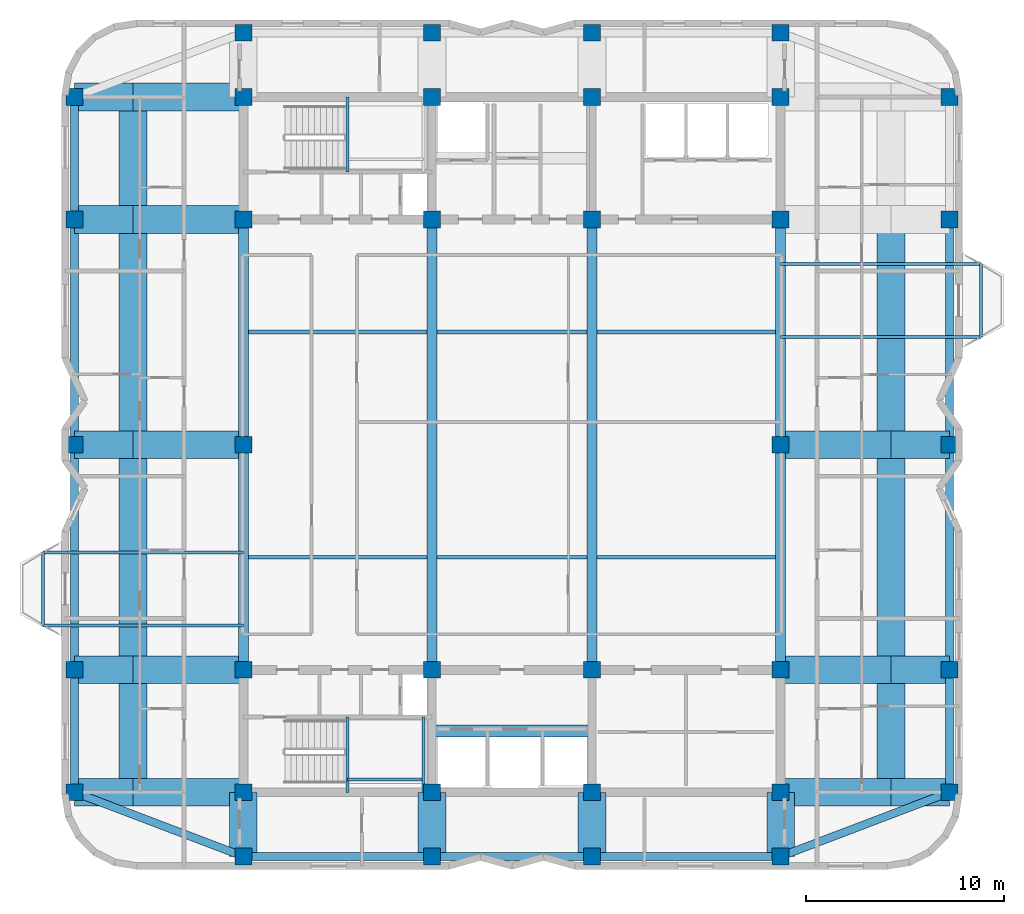
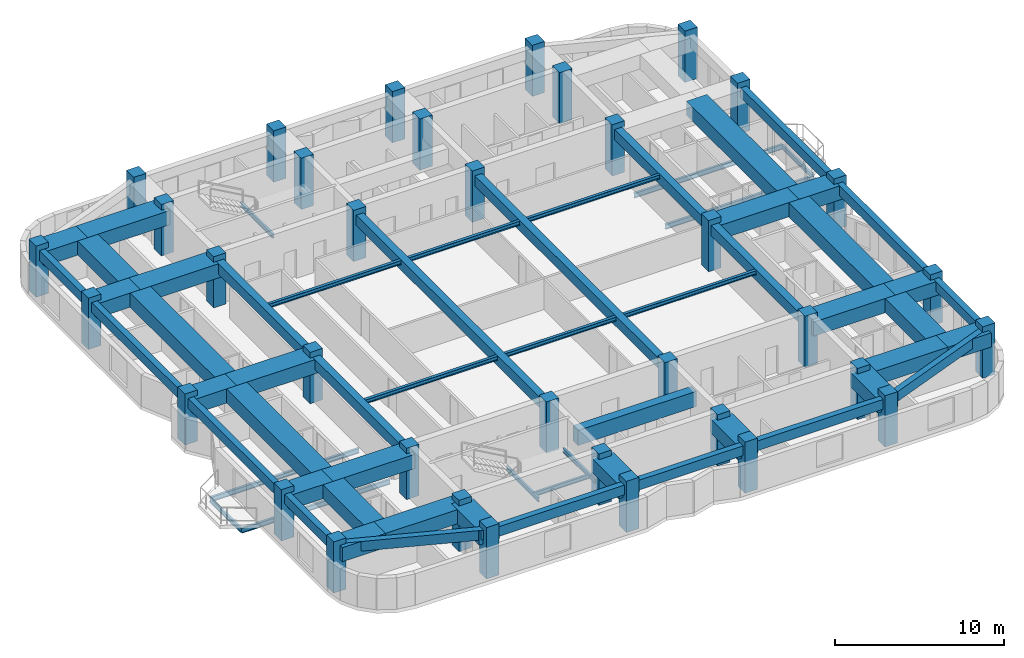
# One storey, part 1 of 9: 62 beams, 36 columns.
"""IFC4 building model written with IfcOpenShell, lengths in metres."""

from ifc_helpers import new_model, si_unit, direction, frame, origin, origin_2d, place, context, subcontext, project, spatial, rectangle, i_section, extrude, material, material_profile, profile_set, type_object, element, save


model = new_model("IFC4")

# Units and contexts
model_context = context("Model", 3, precision=1e-05, world=origin(), true_north=direction((0.0, 1.0)))
body_context = subcontext(model_context, "Body", "Model", "MODEL_VIEW")
ifc_project = project(units=[si_unit("LENGTHUNIT", "METRE"), si_unit("AREAUNIT", "SQUARE_METRE"), si_unit("VOLUMEUNIT", "CUBIC_METRE"), si_unit("PLANEANGLEUNIT", "RADIAN"), si_unit("MASSUNIT", "GRAM", prefix="KILO")], contexts=[model_context])

# Site, building, storey
site_placement = place(None, origin())
site = spatial("IfcSite", under=ifc_project, at=site_placement, CompositionType="ELEMENT")
building_placement = place(site_placement, origin())
building = spatial("IfcBuilding", under=site, at=building_placement, Name="Svetorya Sky Lyceum", CompositionType="ELEMENT")
storey_placement = place(building_placement, frame((0.0, 0.0, 222.10009765625)))
storey = spatial("IfcBuildingStorey", under=building, at=storey_placement, Name="L55", CompositionType="ELEMENT", Elevation=222.10009765625)

# Columns
ifc_material_1 = material(Name="Concrete C50/60", Category="concrete")
ifc_material_profile_1 = material_profile(ifc_material_1, rectangle(XDim=0.85009765625, YDim=0.85009765625, at=origin_2d()), Name="RC COL 850x850")
ifc_profile_set_1 = profile_set([ifc_material_profile_1], Name="Concrete C50/60")
column_type = type_object("IfcColumnType", Name="COL-RC-850", PredefinedType="COLUMN", material=ifc_profile_set_1)
for number, where, z_axis, x_axis, name in (
    (1, (25.60009765625, 10.60009765625, 0.0), (0.0, 0.0, 1.0), (1.0, 0.0, 0.0), "L55 Core Column CS-11"),
    (2, (25.60009765625, 16.800048828125, 0.0), (0.0, 0.0, 1.0), (1.0, 0.0, 0.0), "L55 Core Column CS-12"),
    (3, (35.14990234375, 10.60009765625, 0.0), (0.0, 0.0, 1.0), (1.0, 0.0, 0.0), "L55 Core Column CS-21"),
    (4, (35.14990234375, 16.800048828125, 0.0), (0.0, 0.0, 1.0), (1.0, 0.0, 0.0), "L55 Core Column CS-22"),
    (5, (43.25, 10.60009765625, 0.0), (0.0, 0.0, 1.0), (1.0, 0.0, 0.0), "L55 Core Column CS-31"),
    (6, (43.25, 16.800048828125, 0.0), (0.0, 0.0, 1.0), (1.0, 0.0, 0.0), "L55 Core Column CS-32"),
    (7, (52.800048828125, 10.60009765625, 0.0), (0.0, 0.0, 1.0), (1.0, 0.0, 0.0), "L55 Core Column CS-41"),
    (8, (52.800048828125, 16.800048828125, 0.0), (0.0, 0.0, 1.0), (1.0, 0.0, 0.0), "L55 Core Column CS-42"),
    (9, (25.60009765625, 39.60009765625, 0.0), (0.0, 0.0, 1.0), (1.0, 0.0, 0.0), "L55 Core Column CN-11"),
    (10, (25.60009765625, 45.800048828125, 0.0), (0.0, 0.0, 1.0), (1.0, 0.0, 0.0), "L55 Core Column CN-12"),
    (11, (35.14990234375, 39.60009765625, 0.0), (0.0, 0.0, 1.0), (1.0, 0.0, 0.0), "L55 Core Column CN-21"),
    (12, (35.14990234375, 45.800048828125, 0.0), (0.0, 0.0, 1.0), (1.0, 0.0, 0.0), "L55 Core Column CN-22"),
    (13, (43.25, 39.60009765625, 0.0), (0.0, 0.0, 1.0), (1.0, 0.0, 0.0), "L55 Core Column CN-31"),
    (14, (43.25, 45.800048828125, 0.0), (0.0, 0.0, 1.0), (1.0, 0.0, 0.0), "L55 Core Column CN-32"),
    (15, (52.800048828125, 39.60009765625, 0.0), (0.0, 0.0, 1.0), (1.0, 0.0, 0.0), "L55 Core Column CN-41"),
    (16, (52.800048828125, 45.800048828125, 0.0), (0.0, 0.0, 1.0), (1.0, 0.0, 0.0), "L55 Core Column CN-42"),
    (17, (25.60009765625, 28.199951171875, 0.0), (0.0, 0.0, 1.0), (1.0, 0.0, 0.0), "L55 Core Column CM-W"),
    (18, (52.800048828125, 28.199951171875, 0.0), (0.0, 0.0, 1.0), (1.0, 0.0, 0.0), "L55 Core Column CM-E"),
    (19, (25.60009765625, 7.35009765625, 0.0), (0.0, 0.0, 1.0), (1.0, 0.0, 0.0), "L55 Perimeter Column S1"),
    (20, (25.60009765625, 49.050048828125, 0.0), (0.0, 0.0, 1.0), (1.0, 0.0, 0.0), "L55 Perimeter Column N1"),
    (21, (35.14990234375, 7.35009765625, 0.0), (0.0, 0.0, 1.0), (1.0, 0.0, 0.0), "L55 Perimeter Column S2"),
    (22, (35.14990234375, 49.050048828125, 0.0), (0.0, 0.0, 1.0), (1.0, 0.0, 0.0), "L55 Perimeter Column N2"),
    (23, (43.25, 7.35009765625, 0.0), (0.0, 0.0, 1.0), (1.0, 0.0, 0.0), "L55 Perimeter Column S3"),
    (24, (43.25, 49.050048828125, 0.0), (0.0, 0.0, 1.0), (1.0, 0.0, 0.0), "L55 Perimeter Column N3"),
    (25, (52.800048828125, 7.35009765625, 0.0), (0.0, 0.0, 1.0), (1.0, 0.0, 0.0), "L55 Perimeter Column S4"),
    (26, (52.800048828125, 49.050048828125, 0.0), (0.0, 0.0, 1.0), (1.0, 0.0, 0.0), "L55 Perimeter Column N4"),
    (27, (17.050048828125, 10.60009765625, 0.0), (0.0, 0.0, 1.0), (1.0, 0.0, 0.0), "L55 Perimeter Column W1"),
    (28, (61.35009765625, 10.60009765625, 0.0), (0.0, 0.0, 1.0), (1.0, 0.0, 0.0), "L55 Perimeter Column E1"),
    (29, (17.050048828125, 16.800048828125, 0.0), (0.0, 0.0, 1.0), (1.0, 0.0, 0.0), "L55 Perimeter Column W2"),
    (30, (61.35009765625, 16.800048828125, 0.0), (0.0, 0.0, 1.0), (1.0, 0.0, 0.0), "L55 Perimeter Column E2"),
    (31, (17.050048828125, 28.199951171875, 0.0), (0.0, 0.0, 1.0), (1.0, 0.0, 0.0), "L55 Perimeter Column W3"),
    (32, (61.35009765625, 28.199951171875, 0.0), (0.0, 0.0, 1.0), (1.0, 0.0, 0.0), "L55 Perimeter Column E3"),
    (33, (17.050048828125, 39.60009765625, 0.0), (0.0, 0.0, 1.0), (1.0, 0.0, 0.0), "L55 Perimeter Column W4"),
    (34, (61.35009765625, 39.60009765625, 0.0), (0.0, 0.0, 1.0), (1.0, 0.0, 0.0), "L55 Perimeter Column E4"),
    (35, (17.050048828125, 45.800048828125, 0.0), (0.0, 0.0, 1.0), (1.0, 0.0, 0.0), "L55 Perimeter Column W5"),
    (36, (61.35009765625, 45.800048828125, 0.0), (0.0, 0.0, 1.0), (1.0, 0.0, 0.0), "L55 Perimeter Column E5"),
):
    element("IfcColumn", number, at=place(storey_placement, frame(where, z_axis=z_axis, x_axis=x_axis)), inside=storey, type_object=column_type, Name=name, PredefinedType="COLUMN", context=body_context, shape_type="SweptSolid", body=[
        extrude(rectangle(XDim=0.85009765625, YDim=0.85009765625, at=origin_2d()), origin(), (0.0, 0.0, 1.0), 3.699951171875),
    ])

# Beams
ifc_material_2 = material(Name="Concrete C60/75", Category="concrete")
ifc_material_profile_2 = material_profile(ifc_material_2, rectangle(XDim=0.60009765625, YDim=1.10009765625, at=origin_2d()), Name="RC COUPLING 600x1100")
ifc_profile_set_2 = profile_set([ifc_material_profile_2], Name="Concrete C60/75")
beam_type_1 = type_object("IfcBeamType", Name="BM-CPL-1100", PredefinedType="LINTEL", material=ifc_profile_set_2)
beam_1_placement = place(storey_placement, frame((35.14990234375, 13.699951171875, 2.75), z_axis=(1.0, 0.0, 0.0), x_axis=(0.0, 1.0, 0.0)))
element("IfcBeam", 37, at=beam_1_placement, inside=storey, type_object=beam_type_1, Name="L55 SC Core Coupling Beam", PredefinedType="LINTEL", context=body_context, shape_type="SweptSolid", body=[
    extrude(rectangle(XDim=0.60009765625, YDim=1.10009765625, at=origin_2d()), origin(), (0.0, 0.0, 1.0), 8.10009765625),
])
ifc_material_profile_3 = material_profile(ifc_material_1, rectangle(XDim=0.5, YDim=0.75, at=origin_2d()), Name="RC BEAM 500x750")
ifc_profile_set_3 = profile_set([ifc_material_profile_3], Name="Concrete C50/60")
beam_type_2 = type_object("IfcBeamType", Name="BM-RC-750", PredefinedType="BEAM", material=ifc_profile_set_3)
beam_2_placement = place(storey_placement, frame((25.60009765625, 16.800048828125, 2.9248046875), z_axis=(0.0, 1.0, 0.0), x_axis=(-1.0, 0.0, 0.0)))
element("IfcBeam", 38, at=beam_2_placement, inside=storey, type_object=beam_type_2, Name="L55 Central Bay Primary Girder CG-1A", PredefinedType="BEAM", context=body_context, shape_type="SweptSolid", body=[
    extrude(rectangle(XDim=0.5, YDim=0.75, at=origin_2d()), origin(), (0.0, 0.0, 1.0), 11.39990234375),
])
beam_3_placement = place(storey_placement, frame((25.60009765625, 28.199951171875, 2.9248046875), z_axis=(0.0, 1.0, 0.0), x_axis=(-1.0, 0.0, 0.0)))
element("IfcBeam", 39, at=beam_3_placement, inside=storey, type_object=beam_type_2, Name="L55 Central Bay Primary Girder CG-1B", PredefinedType="BEAM", context=body_context, shape_type="SweptSolid", body=[
    extrude(rectangle(XDim=0.5, YDim=0.75, at=origin_2d()), origin(), (0.0, 0.0, 1.0), 11.400146484375),
])
for number, where, z_axis, x_axis, name in (
    (40, (35.14990234375, 16.800048828125, 2.9248046875), (0.0, 1.0, 0.0), (-1.0, 0.0, 0.0), "L55 Central Bay Primary Girder CG-2"),
    (41, (43.25, 16.800048828125, 2.9248046875), (0.0, 1.0, 0.0), (-1.0, 0.0, 0.0), "L55 Central Bay Primary Girder CG-3"),
):
    element("IfcBeam", number, at=place(storey_placement, frame(where, z_axis=z_axis, x_axis=x_axis)), inside=storey, type_object=beam_type_2, Name=name, PredefinedType="BEAM", context=body_context, shape_type="SweptSolid", body=[
        extrude(rectangle(XDim=0.5, YDim=0.75, at=origin_2d()), origin(), (0.0, 0.0, 1.0), 22.800048828125),
    ])
beam_4_placement = place(storey_placement, frame((52.800048828125, 16.800048828125, 2.9248046875), z_axis=(0.0, 1.0, 0.0), x_axis=(-1.0, 0.0, 0.0)))
element("IfcBeam", 42, at=beam_4_placement, inside=storey, type_object=beam_type_2, Name="L55 Central Bay Primary Girder CG-4A", PredefinedType="BEAM", context=body_context, shape_type="SweptSolid", body=[
    extrude(rectangle(XDim=0.5, YDim=0.75, at=origin_2d()), origin(), (0.0, 0.0, 1.0), 11.39990234375),
])
beam_5_placement = place(storey_placement, frame((52.800048828125, 28.199951171875, 2.9248046875), z_axis=(0.0, 1.0, 0.0), x_axis=(-1.0, 0.0, 0.0)))
element("IfcBeam", 43, at=beam_5_placement, inside=storey, type_object=beam_type_2, Name="L55 Central Bay Primary Girder CG-4B", PredefinedType="BEAM", context=body_context, shape_type="SweptSolid", body=[
    extrude(rectangle(XDim=0.5, YDim=0.75, at=origin_2d()), origin(), (0.0, 0.0, 1.0), 11.400146484375),
])
ifc_material_profile_4 = material_profile(ifc_material_1, rectangle(XDim=0.39990234375, YDim=0.699951171875, at=origin_2d()), Name="RC SPANDREL 400x700")
ifc_profile_set_4 = profile_set([ifc_material_profile_4], Name="Concrete C50/60")
beam_type_3 = type_object("IfcBeamType", Name="BM-SPN-700", PredefinedType="SPANDREL", material=ifc_profile_set_4)
beam_6_placement = place(storey_placement, frame((25.60009765625, 7.35009765625, 2.949951171875), z_axis=(1.0, 0.0, 0.0), x_axis=(0.0, 1.0, 0.0)))
element("IfcBeam", 44, at=beam_6_placement, inside=storey, type_object=beam_type_3, Name="L55 South Spandrel 1", PredefinedType="SPANDREL", context=body_context, shape_type="SweptSolid", body=[
    extrude(rectangle(XDim=0.39990234375, YDim=0.699951171875, at=origin_2d()), origin(), (0.0, 0.0, 1.0), 9.5498046875),
])
beam_7_placement = place(storey_placement, frame((35.14990234375, 7.35009765625, 2.949951171875), z_axis=(1.0, 0.0, 0.0), x_axis=(0.0, 1.0, 0.0)))
element("IfcBeam", 45, at=beam_7_placement, inside=storey, type_object=beam_type_3, Name="L55 South Spandrel 2", PredefinedType="SPANDREL", context=body_context, shape_type="SweptSolid", body=[
    extrude(rectangle(XDim=0.39990234375, YDim=0.699951171875, at=origin_2d()), origin(), (0.0, 0.0, 1.0), 8.10009765625),
])
beam_8_placement = place(storey_placement, frame((43.25, 7.35009765625, 2.949951171875), z_axis=(1.0, 0.0, 0.0), x_axis=(0.0, 1.0, 0.0)))
element("IfcBeam", 46, at=beam_8_placement, inside=storey, type_object=beam_type_3, Name="L55 South Spandrel 3", PredefinedType="SPANDREL", context=body_context, shape_type="SweptSolid", body=[
    extrude(rectangle(XDim=0.39990234375, YDim=0.699951171875, at=origin_2d()), origin(), (0.0, 0.0, 1.0), 9.550048828125),
])
for number, where, z_axis, x_axis, name in (
    (47, (25.60009765625, 7.35009765625, 2.949951171875), (-0.934747947367, 0.355311518099, 0.0), (-0.355311518099, -0.934747947367, 0.0), "L55 Corner Spandrel 1"),
    (48, (52.800048828125, 7.35009765625, 2.949951171875), (0.934747947367, 0.355311518099, 0.0), (-0.355311518099, 0.934747947367, 0.0), "L55 Corner Spandrel 2"),
):
    element("IfcBeam", number, at=place(storey_placement, frame(where, z_axis=z_axis, x_axis=x_axis)), inside=storey, type_object=beam_type_3, Name=name, PredefinedType="SPANDREL", context=body_context, shape_type="SweptSolid", body=[
        extrude(rectangle(XDim=0.39990234375, YDim=0.699951171875, at=origin_2d()), origin(), (0.0, 0.0, 1.0), 9.14697265625),
    ])
beam_9_placement = place(storey_placement, frame((17.050048828125, 10.60009765625, 2.949951171875), z_axis=(0.0, 1.0, 0.0), x_axis=(-1.0, 0.0, 0.0)))
element("IfcBeam", 49, at=beam_9_placement, inside=storey, type_object=beam_type_3, Name="L55 West Spandrel 1", PredefinedType="SPANDREL", context=body_context, shape_type="SweptSolid", body=[
    extrude(rectangle(XDim=0.39990234375, YDim=0.699951171875, at=origin_2d()), origin(), (0.0, 0.0, 1.0), 6.199951171875),
])
beam_10_placement = place(storey_placement, frame((17.050048828125, 16.800048828125, 2.949951171875), z_axis=(0.0, 1.0, 0.0), x_axis=(-1.0, 0.0, 0.0)))
element("IfcBeam", 50, at=beam_10_placement, inside=storey, type_object=beam_type_3, Name="L55 West Spandrel 2", PredefinedType="SPANDREL", context=body_context, shape_type="SweptSolid", body=[
    extrude(rectangle(XDim=0.39990234375, YDim=0.699951171875, at=origin_2d()), origin(), (0.0, 0.0, 1.0), 11.39990234375),
])
beam_11_placement = place(storey_placement, frame((17.050048828125, 28.199951171875, 2.949951171875), z_axis=(0.0, 1.0, 0.0), x_axis=(-1.0, 0.0, 0.0)))
element("IfcBeam", 51, at=beam_11_placement, inside=storey, type_object=beam_type_3, Name="L55 West Spandrel 3", PredefinedType="SPANDREL", context=body_context, shape_type="SweptSolid", body=[
    extrude(rectangle(XDim=0.39990234375, YDim=0.699951171875, at=origin_2d()), origin(), (0.0, 0.0, 1.0), 11.400146484375),
])
for number, where, z_axis, x_axis, name in (
    (52, (17.050048828125, 39.60009765625, 2.949951171875), (0.0, 1.0, 0.0), (-1.0, 0.0, 0.0), "L55 West Spandrel 4"),
    (53, (61.35009765625, 10.60009765625, 2.949951171875), (0.0, 1.0, 0.0), (-1.0, 0.0, 0.0), "L55 East Spandrel 1"),
):
    element("IfcBeam", number, at=place(storey_placement, frame(where, z_axis=z_axis, x_axis=x_axis)), inside=storey, type_object=beam_type_3, Name=name, PredefinedType="SPANDREL", context=body_context, shape_type="SweptSolid", body=[
        extrude(rectangle(XDim=0.39990234375, YDim=0.699951171875, at=origin_2d()), origin(), (0.0, 0.0, 1.0), 6.199951171875),
    ])
beam_12_placement = place(storey_placement, frame((61.35009765625, 16.800048828125, 2.949951171875), z_axis=(0.0, 1.0, 0.0), x_axis=(-1.0, 0.0, 0.0)))
element("IfcBeam", 54, at=beam_12_placement, inside=storey, type_object=beam_type_3, Name="L55 East Spandrel 2", PredefinedType="SPANDREL", context=body_context, shape_type="SweptSolid", body=[
    extrude(rectangle(XDim=0.39990234375, YDim=0.699951171875, at=origin_2d()), origin(), (0.0, 0.0, 1.0), 11.39990234375),
])
beam_13_placement = place(storey_placement, frame((61.35009765625, 28.199951171875, 2.949951171875), z_axis=(0.0, 1.0, 0.0), x_axis=(-1.0, 0.0, 0.0)))
element("IfcBeam", 55, at=beam_13_placement, inside=storey, type_object=beam_type_3, Name="L55 East Spandrel 3", PredefinedType="SPANDREL", context=body_context, shape_type="SweptSolid", body=[
    extrude(rectangle(XDim=0.39990234375, YDim=0.699951171875, at=origin_2d()), origin(), (0.0, 0.0, 1.0), 11.400146484375),
])
ifc_material_3 = material(Name="Steel S355", Category="steel")
ifc_material_profile_5 = material_profile(ifc_material_3, i_section(OverallWidth=0.14990234375, OverallDepth=0.299072265625, WebThickness=0.006591796875, FlangeThickness=0.010498046875, at=origin_2d()), Name="GOST 30B2")
ifc_profile_set_5 = profile_set([ifc_material_profile_5], Name="Steel S355")
beam_type_4 = type_object("IfcBeamType", Name="BM-STL-30B2", PredefinedType="JOIST", material=ifc_profile_set_5)
beam_14_placement = place(storey_placement, frame((15.449951171875, 19.050048828125, -0.4345703125), z_axis=(0.0, 1.0, 0.0), x_axis=(-1.0, 0.0, 0.0)))
element("IfcBeam", 56, at=beam_14_placement, inside=storey, type_object=beam_type_4, Name="L55 Balcony Edge Tie BAL-W1", PredefinedType="JOIST", context=body_context, shape_type="SweptSolid", body=[
    extrude(i_section(OverallWidth=0.14990234375, OverallDepth=0.299072265625, WebThickness=0.006591796875, FlangeThickness=0.010498046875, at=origin_2d()), origin(), (0.0, 0.0, 1.0), 3.699951171875),
])
beam_15_placement = place(storey_placement, frame((62.949951171875, 33.64990234375, -0.4345703125), z_axis=(0.0, 1.0, 0.0), x_axis=(-1.0, 0.0, 0.0)))
element("IfcBeam", 57, at=beam_15_placement, inside=storey, type_object=beam_type_4, Name="L55 Balcony Edge Tie BAL-E1", PredefinedType="JOIST", context=body_context, shape_type="SweptSolid", body=[
    extrude(i_section(OverallWidth=0.14990234375, OverallDepth=0.299072265625, WebThickness=0.006591796875, FlangeThickness=0.010498046875, at=origin_2d()), origin(), (0.0, 0.0, 1.0), 3.7001953125),
])
for number, where, z_axis, x_axis, name in (
    (58, (30.8798828125, 10.60009765625, 1.50048828125), (0.0, 1.0, 0.0), (-1.0, 0.0, 0.0), "L55 Stair ST-S Half-Landing Support Beam 63.1"),
    (59, (34.719970703125, 10.60009765625, 1.50048828125), (0.0, 1.0, 0.0), (-1.0, 0.0, 0.0), "L55 Stair ST-S Half-Landing Support Beam 63.2"),
):
    element("IfcBeam", number, at=place(storey_placement, frame(where, z_axis=z_axis, x_axis=x_axis)), inside=storey, type_object=beam_type_4, Name=name, PredefinedType="JOIST", context=body_context, shape_type="SweptSolid", body=[
        extrude(i_section(OverallWidth=0.14990234375, OverallDepth=0.299072265625, WebThickness=0.006591796875, FlangeThickness=0.010498046875, at=origin_2d()), origin(), (0.0, 0.0, 1.0), 3.7998046875),
    ])
beam_16_placement = place(storey_placement, frame((30.8798828125, 11.25, 1.50048828125), z_axis=(1.0, 0.0, 0.0), x_axis=(0.0, 1.0, 0.0)))
element("IfcBeam", 60, at=beam_16_placement, inside=storey, type_object=beam_type_4, Name="L55 Stair ST-S Half-Landing Cross Tie 63", PredefinedType="JOIST", context=body_context, shape_type="SweptSolid", body=[
    extrude(i_section(OverallWidth=0.14990234375, OverallDepth=0.299072265625, WebThickness=0.006591796875, FlangeThickness=0.010498046875, at=origin_2d()), origin(), (0.0, 0.0, 1.0), 3.840087890625),
])
beam_17_placement = place(storey_placement, frame((30.8798828125, 42.0, 1.50048828125), z_axis=(0.0, 1.0, 0.0), x_axis=(-1.0, 0.0, 0.0)))
element("IfcBeam", 61, at=beam_17_placement, inside=storey, type_object=beam_type_4, Name="L55 Stair ST-N Half-Landing Support Beam 63.1", PredefinedType="JOIST", context=body_context, shape_type="SweptSolid", body=[
    extrude(i_section(OverallWidth=0.14990234375, OverallDepth=0.299072265625, WebThickness=0.006591796875, FlangeThickness=0.010498046875, at=origin_2d()), origin(), (0.0, 0.0, 1.0), 3.800048828125),
])
ifc_material_profile_6 = material_profile(ifc_material_3, i_section(OverallWidth=0.199951171875, OverallDepth=0.298095703125, WebThickness=0.008544921875, FlangeThickness=0.012939453125, at=origin_2d()), Name="GOST 30Sh2")
ifc_profile_set_6 = profile_set([ifc_material_profile_6], Name="Steel S355")
beam_type_5 = type_object("IfcBeamType", Name="BM-STL-30SH2", PredefinedType="BEAM", material=ifc_profile_set_6)
beam_18_placement = place(storey_placement, frame((25.85009765625, 22.5, 3.15087890625), z_axis=(1.0, 0.0, 0.0), x_axis=(0.0, 1.0, 0.0)))
element("IfcBeam", 62, at=beam_18_placement, inside=storey, type_object=beam_type_5, Name="L55 Central Floor Joist CJ-1.1", PredefinedType="BEAM", context=body_context, shape_type="SweptSolid", body=[
    extrude(i_section(OverallWidth=0.199951171875, OverallDepth=0.298095703125, WebThickness=0.008544921875, FlangeThickness=0.012939453125, at=origin_2d()), origin(), (0.0, 0.0, 1.0), 9.0498046875),
])
beam_19_placement = place(storey_placement, frame((35.39990234375, 22.5, 3.15087890625), z_axis=(1.0, 0.0, 0.0), x_axis=(0.0, 1.0, 0.0)))
element("IfcBeam", 63, at=beam_19_placement, inside=storey, type_object=beam_type_5, Name="L55 Central Floor Joist CJ-1.2", PredefinedType="BEAM", context=body_context, shape_type="SweptSolid", body=[
    extrude(i_section(OverallWidth=0.199951171875, OverallDepth=0.298095703125, WebThickness=0.008544921875, FlangeThickness=0.012939453125, at=origin_2d()), origin(), (0.0, 0.0, 1.0), 7.60009765625),
])
beam_20_placement = place(storey_placement, frame((43.5, 22.5, 3.15087890625), z_axis=(1.0, 0.0, 0.0), x_axis=(0.0, 1.0, 0.0)))
element("IfcBeam", 64, at=beam_20_placement, inside=storey, type_object=beam_type_5, Name="L55 Central Floor Joist CJ-1.3", PredefinedType="BEAM", context=body_context, shape_type="SweptSolid", body=[
    extrude(i_section(OverallWidth=0.199951171875, OverallDepth=0.298095703125, WebThickness=0.008544921875, FlangeThickness=0.012939453125, at=origin_2d()), origin(), (0.0, 0.0, 1.0), 9.050048828125),
])
beam_21_placement = place(storey_placement, frame((25.85009765625, 33.89990234375, 3.15087890625), z_axis=(1.0, 0.0, 0.0), x_axis=(0.0, 1.0, 0.0)))
element("IfcBeam", 65, at=beam_21_placement, inside=storey, type_object=beam_type_5, Name="L55 Central Floor Joist CJ-3.1", PredefinedType="BEAM", context=body_context, shape_type="SweptSolid", body=[
    extrude(i_section(OverallWidth=0.199951171875, OverallDepth=0.298095703125, WebThickness=0.008544921875, FlangeThickness=0.012939453125, at=origin_2d()), origin(), (0.0, 0.0, 1.0), 9.0498046875),
])
beam_22_placement = place(storey_placement, frame((35.39990234375, 33.89990234375, 3.15087890625), z_axis=(1.0, 0.0, 0.0), x_axis=(0.0, 1.0, 0.0)))
element("IfcBeam", 66, at=beam_22_placement, inside=storey, type_object=beam_type_5, Name="L55 Central Floor Joist CJ-3.2", PredefinedType="BEAM", context=body_context, shape_type="SweptSolid", body=[
    extrude(i_section(OverallWidth=0.199951171875, OverallDepth=0.298095703125, WebThickness=0.008544921875, FlangeThickness=0.012939453125, at=origin_2d()), origin(), (0.0, 0.0, 1.0), 7.60009765625),
])
beam_23_placement = place(storey_placement, frame((43.5, 33.89990234375, 3.15087890625), z_axis=(1.0, 0.0, 0.0), x_axis=(0.0, 1.0, 0.0)))
element("IfcBeam", 67, at=beam_23_placement, inside=storey, type_object=beam_type_5, Name="L55 Central Floor Joist CJ-3.3", PredefinedType="BEAM", context=body_context, shape_type="SweptSolid", body=[
    extrude(i_section(OverallWidth=0.199951171875, OverallDepth=0.298095703125, WebThickness=0.008544921875, FlangeThickness=0.012939453125, at=origin_2d()), origin(), (0.0, 0.0, 1.0), 9.050048828125),
])
ifc_material_profile_7 = material_profile(ifc_material_3, i_section(OverallWidth=0.155029296875, OverallDepth=0.34912109375, WebThickness=0.007080078125, FlangeThickness=0.011474609375, at=origin_2d()), Name="GOST 35B2")
ifc_profile_set_7 = profile_set([ifc_material_profile_7], Name="Steel S355")
beam_type_6 = type_object("IfcBeamType", Name="BM-STL-35B2", PredefinedType="JOIST", material=ifc_profile_set_7)
for number, where, z_axis, x_axis, name in (
    (68, (25.60009765625, 19.050048828125, -0.4345703125), (-1.0, 0.0, 0.0), (0.0, -1.0, 0.0), "L55 Balcony Cantilever Beam BAL-W1-1"),
    (69, (25.60009765625, 22.75, -0.4345703125), (-1.0, 0.0, 0.0), (0.0, -1.0, 0.0), "L55 Balcony Cantilever Beam BAL-W1-2"),
):
    element("IfcBeam", number, at=place(storey_placement, frame(where, z_axis=z_axis, x_axis=x_axis)), inside=storey, type_object=beam_type_6, Name=name, PredefinedType="JOIST", context=body_context, shape_type="SweptSolid", body=[
        extrude(i_section(OverallWidth=0.155029296875, OverallDepth=0.34912109375, WebThickness=0.007080078125, FlangeThickness=0.011474609375, at=origin_2d()), origin(), (0.0, 0.0, 1.0), 10.150146484375),
    ])
for number, where, z_axis, x_axis, name in (
    (70, (52.800048828125, 33.64990234375, -0.4345703125), (1.0, 0.0, 0.0), (0.0, 1.0, 0.0), "L55 Balcony Cantilever Beam BAL-E1-1"),
    (71, (52.800048828125, 37.35009765625, -0.4345703125), (1.0, 0.0, 0.0), (0.0, 1.0, 0.0), "L55 Balcony Cantilever Beam BAL-E1-2"),
):
    element("IfcBeam", number, at=place(storey_placement, frame(where, z_axis=z_axis, x_axis=x_axis)), inside=storey, type_object=beam_type_6, Name=name, PredefinedType="JOIST", context=body_context, shape_type="SweptSolid", body=[
        extrude(i_section(OverallWidth=0.155029296875, OverallDepth=0.34912109375, WebThickness=0.007080078125, FlangeThickness=0.011474609375, at=origin_2d()), origin(), (0.0, 0.0, 1.0), 10.14990234375),
    ])
ifc_material_profile_8 = material_profile(ifc_material_2, rectangle(XDim=1.39990234375, YDim=1.02001953125, at=origin_2d()), Name="RC TRANSFER 1400x1020")
ifc_profile_set_8 = profile_set([ifc_material_profile_8], Name="Concrete C60/75")
beam_type_7 = type_object("IfcBeamType", Name="BM-TRF-1020", PredefinedType="BEAM", material=ifc_profile_set_8)
beam_24_placement = place(storey_placement, frame((17.050048828125, 10.60009765625, 2.789794921875), z_axis=(1.0, 0.0, 0.0), x_axis=(0.0, 1.0, 0.0)))
element("IfcBeam", 72, at=beam_24_placement, inside=storey, type_object=beam_type_7, Name="L55 West Outer Transfer Girder 1", PredefinedType="BEAM", context=body_context, shape_type="SweptSolid", body=[
    extrude(rectangle(XDim=1.39990234375, YDim=1.02001953125, at=origin_2d()), origin(), (0.0, 0.0, 1.0), 2.9599609375),
])
beam_25_placement = place(storey_placement, frame((20.010009765625, 10.60009765625, 2.789794921875), z_axis=(1.0, 0.0, 0.0), x_axis=(0.0, 1.0, 0.0)))
element("IfcBeam", 73, at=beam_25_placement, inside=storey, type_object=beam_type_7, Name="L55 West Inner Transfer Girder 1", PredefinedType="BEAM", context=body_context, shape_type="SweptSolid", body=[
    extrude(rectangle(XDim=1.39990234375, YDim=1.02001953125, at=origin_2d()), origin(), (0.0, 0.0, 1.0), 5.590087890625),
])
beam_26_placement = place(storey_placement, frame((52.800048828125, 10.60009765625, 2.789794921875), z_axis=(1.0, 0.0, 0.0), x_axis=(0.0, 1.0, 0.0)))
element("IfcBeam", 74, at=beam_26_placement, inside=storey, type_object=beam_type_7, Name="L55 East Inner Transfer Girder 1", PredefinedType="BEAM", context=body_context, shape_type="SweptSolid", body=[
    extrude(rectangle(XDim=1.39990234375, YDim=1.02001953125, at=origin_2d()), origin(), (0.0, 0.0, 1.0), 5.58984375),
])
beam_27_placement = place(storey_placement, frame((58.389892578125, 10.60009765625, 2.789794921875), z_axis=(1.0, 0.0, 0.0), x_axis=(0.0, 1.0, 0.0)))
element("IfcBeam", 75, at=beam_27_placement, inside=storey, type_object=beam_type_7, Name="L55 East Outer Transfer Girder 1", PredefinedType="BEAM", context=body_context, shape_type="SweptSolid", body=[
    extrude(rectangle(XDim=1.39990234375, YDim=1.02001953125, at=origin_2d()), origin(), (0.0, 0.0, 1.0), 2.960205078125),
])
beam_28_placement = place(storey_placement, frame((17.050048828125, 16.800048828125, 2.789794921875), z_axis=(1.0, 0.0, 0.0), x_axis=(0.0, 1.0, 0.0)))
element("IfcBeam", 76, at=beam_28_placement, inside=storey, type_object=beam_type_7, Name="L55 West Outer Transfer Girder 2", PredefinedType="BEAM", context=body_context, shape_type="SweptSolid", body=[
    extrude(rectangle(XDim=1.39990234375, YDim=1.02001953125, at=origin_2d()), origin(), (0.0, 0.0, 1.0), 2.9599609375),
])
beam_29_placement = place(storey_placement, frame((20.010009765625, 16.800048828125, 2.789794921875), z_axis=(1.0, 0.0, 0.0), x_axis=(0.0, 1.0, 0.0)))
element("IfcBeam", 77, at=beam_29_placement, inside=storey, type_object=beam_type_7, Name="L55 West Inner Transfer Girder 2", PredefinedType="BEAM", context=body_context, shape_type="SweptSolid", body=[
    extrude(rectangle(XDim=1.39990234375, YDim=1.02001953125, at=origin_2d()), origin(), (0.0, 0.0, 1.0), 5.590087890625),
])
beam_30_placement = place(storey_placement, frame((52.800048828125, 16.800048828125, 2.789794921875), z_axis=(1.0, 0.0, 0.0), x_axis=(0.0, 1.0, 0.0)))
element("IfcBeam", 78, at=beam_30_placement, inside=storey, type_object=beam_type_7, Name="L55 East Inner Transfer Girder 2", PredefinedType="BEAM", context=body_context, shape_type="SweptSolid", body=[
    extrude(rectangle(XDim=1.39990234375, YDim=1.02001953125, at=origin_2d()), origin(), (0.0, 0.0, 1.0), 5.58984375),
])
beam_31_placement = place(storey_placement, frame((58.389892578125, 16.800048828125, 2.789794921875), z_axis=(1.0, 0.0, 0.0), x_axis=(0.0, 1.0, 0.0)))
element("IfcBeam", 79, at=beam_31_placement, inside=storey, type_object=beam_type_7, Name="L55 East Outer Transfer Girder 2", PredefinedType="BEAM", context=body_context, shape_type="SweptSolid", body=[
    extrude(rectangle(XDim=1.39990234375, YDim=1.02001953125, at=origin_2d()), origin(), (0.0, 0.0, 1.0), 2.960205078125),
])
beam_32_placement = place(storey_placement, frame((17.050048828125, 28.199951171875, 2.789794921875), z_axis=(1.0, 0.0, 0.0), x_axis=(0.0, 1.0, 0.0)))
element("IfcBeam", 80, at=beam_32_placement, inside=storey, type_object=beam_type_7, Name="L55 West Outer Transfer Girder 3", PredefinedType="BEAM", context=body_context, shape_type="SweptSolid", body=[
    extrude(rectangle(XDim=1.39990234375, YDim=1.02001953125, at=origin_2d()), origin(), (0.0, 0.0, 1.0), 2.9599609375),
])
beam_33_placement = place(storey_placement, frame((20.010009765625, 28.199951171875, 2.789794921875), z_axis=(1.0, 0.0, 0.0), x_axis=(0.0, 1.0, 0.0)))
element("IfcBeam", 81, at=beam_33_placement, inside=storey, type_object=beam_type_7, Name="L55 West Inner Transfer Girder 3", PredefinedType="BEAM", context=body_context, shape_type="SweptSolid", body=[
    extrude(rectangle(XDim=1.39990234375, YDim=1.02001953125, at=origin_2d()), origin(), (0.0, 0.0, 1.0), 5.590087890625),
])
beam_34_placement = place(storey_placement, frame((52.800048828125, 28.199951171875, 2.789794921875), z_axis=(1.0, 0.0, 0.0), x_axis=(0.0, 1.0, 0.0)))
element("IfcBeam", 82, at=beam_34_placement, inside=storey, type_object=beam_type_7, Name="L55 East Inner Transfer Girder 3", PredefinedType="BEAM", context=body_context, shape_type="SweptSolid", body=[
    extrude(rectangle(XDim=1.39990234375, YDim=1.02001953125, at=origin_2d()), origin(), (0.0, 0.0, 1.0), 5.58984375),
])
beam_35_placement = place(storey_placement, frame((58.389892578125, 28.199951171875, 2.789794921875), z_axis=(1.0, 0.0, 0.0), x_axis=(0.0, 1.0, 0.0)))
element("IfcBeam", 83, at=beam_35_placement, inside=storey, type_object=beam_type_7, Name="L55 East Outer Transfer Girder 3", PredefinedType="BEAM", context=body_context, shape_type="SweptSolid", body=[
    extrude(rectangle(XDim=1.39990234375, YDim=1.02001953125, at=origin_2d()), origin(), (0.0, 0.0, 1.0), 2.960205078125),
])
beam_36_placement = place(storey_placement, frame((17.050048828125, 39.60009765625, 2.789794921875), z_axis=(1.0, 0.0, 0.0), x_axis=(0.0, 1.0, 0.0)))
element("IfcBeam", 84, at=beam_36_placement, inside=storey, type_object=beam_type_7, Name="L55 West Outer Transfer Girder 4", PredefinedType="BEAM", context=body_context, shape_type="SweptSolid", body=[
    extrude(rectangle(XDim=1.39990234375, YDim=1.02001953125, at=origin_2d()), origin(), (0.0, 0.0, 1.0), 2.9599609375),
])
beam_37_placement = place(storey_placement, frame((20.010009765625, 39.60009765625, 2.789794921875), z_axis=(1.0, 0.0, 0.0), x_axis=(0.0, 1.0, 0.0)))
element("IfcBeam", 85, at=beam_37_placement, inside=storey, type_object=beam_type_7, Name="L55 West Inner Transfer Girder 4", PredefinedType="BEAM", context=body_context, shape_type="SweptSolid", body=[
    extrude(rectangle(XDim=1.39990234375, YDim=1.02001953125, at=origin_2d()), origin(), (0.0, 0.0, 1.0), 5.590087890625),
])
beam_38_placement = place(storey_placement, frame((17.050048828125, 45.800048828125, 2.789794921875), z_axis=(1.0, 0.0, 0.0), x_axis=(0.0, 1.0, 0.0)))
element("IfcBeam", 86, at=beam_38_placement, inside=storey, type_object=beam_type_7, Name="L55 West Outer Transfer Girder 5", PredefinedType="BEAM", context=body_context, shape_type="SweptSolid", body=[
    extrude(rectangle(XDim=1.39990234375, YDim=1.02001953125, at=origin_2d()), origin(), (0.0, 0.0, 1.0), 2.9599609375),
])
beam_39_placement = place(storey_placement, frame((20.010009765625, 45.800048828125, 2.789794921875), z_axis=(1.0, 0.0, 0.0), x_axis=(0.0, 1.0, 0.0)))
element("IfcBeam", 87, at=beam_39_placement, inside=storey, type_object=beam_type_7, Name="L55 West Inner Transfer Girder 5", PredefinedType="BEAM", context=body_context, shape_type="SweptSolid", body=[
    extrude(rectangle(XDim=1.39990234375, YDim=1.02001953125, at=origin_2d()), origin(), (0.0, 0.0, 1.0), 5.590087890625),
])
for number, where, z_axis, x_axis, name in (
    (88, (20.010009765625, 10.60009765625, 2.789794921875), (0.0, 1.0, 0.0), (-1.0, 0.0, 0.0), "L55 West Setback Transfer Girder 1"),
    (89, (58.389892578125, 10.60009765625, 2.789794921875), (0.0, 1.0, 0.0), (-1.0, 0.0, 0.0), "L55 East Setback Transfer Girder 1"),
):
    element("IfcBeam", number, at=place(storey_placement, frame(where, z_axis=z_axis, x_axis=x_axis)), inside=storey, type_object=beam_type_7, Name=name, PredefinedType="BEAM", context=body_context, shape_type="SweptSolid", body=[
        extrude(rectangle(XDim=1.39990234375, YDim=1.02001953125, at=origin_2d()), origin(), (0.0, 0.0, 1.0), 6.199951171875),
    ])
for number, where, z_axis, x_axis, name in (
    (90, (20.010009765625, 16.800048828125, 2.789794921875), (0.0, 1.0, 0.0), (-1.0, 0.0, 0.0), "L55 West Setback Transfer Girder 2"),
    (91, (58.389892578125, 16.800048828125, 2.789794921875), (0.0, 1.0, 0.0), (-1.0, 0.0, 0.0), "L55 East Setback Transfer Girder 2"),
):
    element("IfcBeam", number, at=place(storey_placement, frame(where, z_axis=z_axis, x_axis=x_axis)), inside=storey, type_object=beam_type_7, Name=name, PredefinedType="BEAM", context=body_context, shape_type="SweptSolid", body=[
        extrude(rectangle(XDim=1.39990234375, YDim=1.02001953125, at=origin_2d()), origin(), (0.0, 0.0, 1.0), 11.39990234375),
    ])
for number, where, z_axis, x_axis, name in (
    (92, (20.010009765625, 28.199951171875, 2.789794921875), (0.0, 1.0, 0.0), (-1.0, 0.0, 0.0), "L55 West Setback Transfer Girder 3"),
    (93, (58.389892578125, 28.199951171875, 2.789794921875), (0.0, 1.0, 0.0), (-1.0, 0.0, 0.0), "L55 East Setback Transfer Girder 3"),
):
    element("IfcBeam", number, at=place(storey_placement, frame(where, z_axis=z_axis, x_axis=x_axis)), inside=storey, type_object=beam_type_7, Name=name, PredefinedType="BEAM", context=body_context, shape_type="SweptSolid", body=[
        extrude(rectangle(XDim=1.39990234375, YDim=1.02001953125, at=origin_2d()), origin(), (0.0, 0.0, 1.0), 11.400146484375),
    ])
beam_40_placement = place(storey_placement, frame((20.010009765625, 39.60009765625, 2.789794921875), z_axis=(0.0, 1.0, 0.0), x_axis=(-1.0, 0.0, 0.0)))
element("IfcBeam", 94, at=beam_40_placement, inside=storey, type_object=beam_type_7, Name="L55 West Setback Transfer Girder 4", PredefinedType="BEAM", context=body_context, shape_type="SweptSolid", body=[
    extrude(rectangle(XDim=1.39990234375, YDim=1.02001953125, at=origin_2d()), origin(), (0.0, 0.0, 1.0), 6.199951171875),
])
for number, where, z_axis, x_axis, name in (
    (95, (25.60009765625, 7.35009765625, 2.789794921875), (0.0, 1.0, 0.0), (-1.0, 0.0, 0.0), "L55 South Edge Transfer Girder 1"),
    (96, (35.14990234375, 7.35009765625, 2.789794921875), (0.0, 1.0, 0.0), (-1.0, 0.0, 0.0), "L55 South Edge Transfer Girder 2"),
    (97, (43.25, 7.35009765625, 2.789794921875), (0.0, 1.0, 0.0), (-1.0, 0.0, 0.0), "L55 South Edge Transfer Girder 3"),
    (98, (52.800048828125, 7.35009765625, 2.789794921875), (0.0, 1.0, 0.0), (-1.0, 0.0, 0.0), "L55 South Edge Transfer Girder 4"),
):
    element("IfcBeam", number, at=place(storey_placement, frame(where, z_axis=z_axis, x_axis=x_axis)), inside=storey, type_object=beam_type_7, Name=name, PredefinedType="BEAM", context=body_context, shape_type="SweptSolid", body=[
        extrude(rectangle(XDim=1.39990234375, YDim=1.02001953125, at=origin_2d()), origin(), (0.0, 0.0, 1.0), 3.25),
    ])

save(model, "model.ifc")
